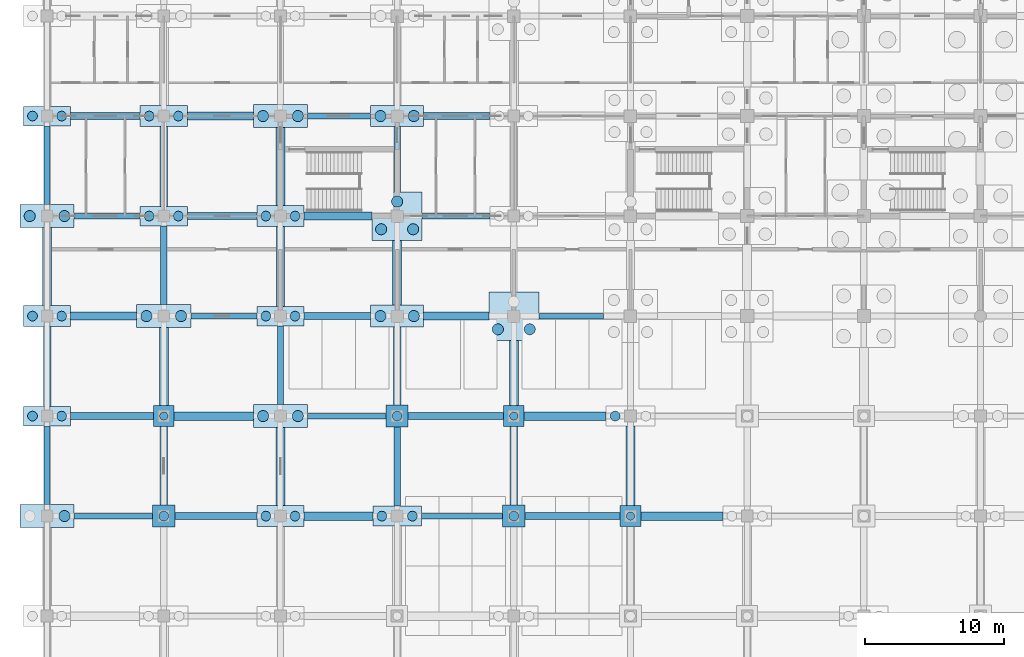
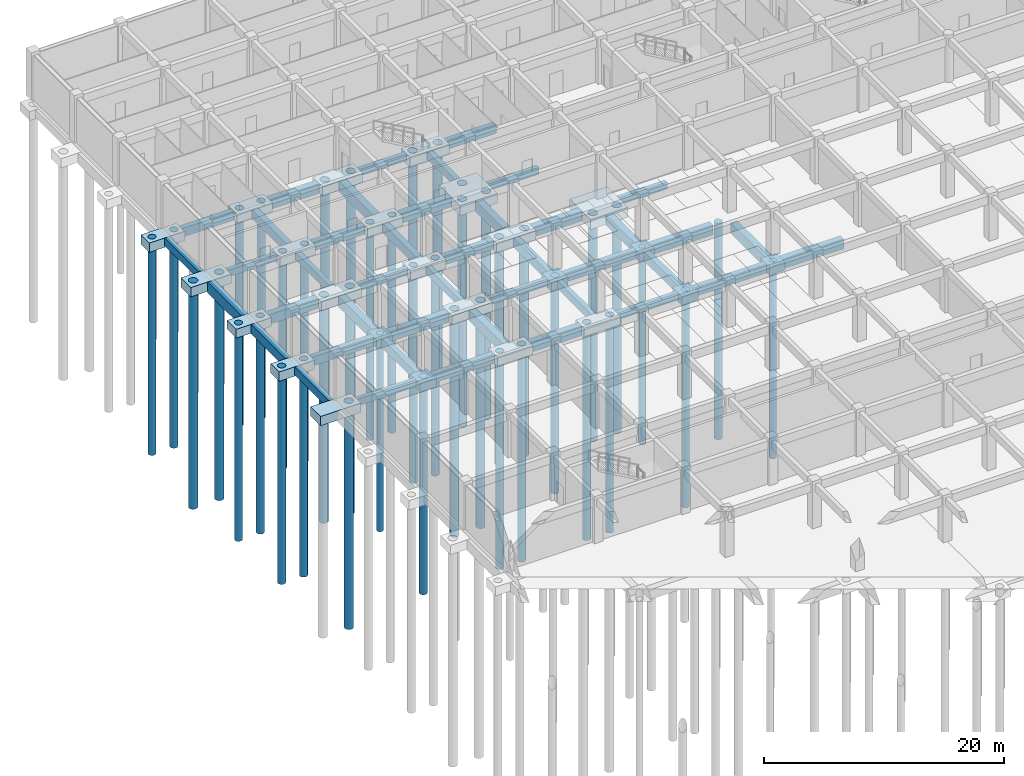
# One storey, part 6 of 85: 67 footings, 43 piles.
"""IFC4 building model written with IfcOpenShell, lengths in metres."""

import ifcopenshell
import ifcopenshell.guid

model = None  # the IFC model being written
_history = None  # IfcOwnerHistory: only IFC2X3 demands one
_inside = {}  # id of a spatial element -> (the spatial element, [elements in it])
_under = {}  # id of a project, library or spatial element -> (it, [spatial elements below it])
_declared = {}  # id of a project -> (the project, [libraries it declares])
_typed = {}  # id of a type object -> (the type object, [elements of that type])
_made_of = {}  # id of a material, layer set ... -> (it, [elements and type objects made of it])


def new_model(schema):
    """Start an empty IFC model of exactly this schema.

    Asked for "IFC4X3", IfcOpenShell would pick the latest addendum, in which some entities
    have other attributes; the version numbers below select the first issue.
    IFC2X3 requires an IfcOwnerHistory on every rooted entity: one is made here for all.
    """
    global model, _history
    if schema == "IFC4X3":
        model = ifcopenshell.file(schema_version=(4, 3, 0, 0))
    else:
        model = ifcopenshell.file(schema=schema)
    _inside.clear()
    _under.clear()
    _declared.clear()
    _typed.clear()
    _made_of.clear()
    _history = None
    if model.schema == "IFC2X3":
        org = make("IfcOrganization", Name="unknown")
        user = make(
            "IfcPersonAndOrganization",
            ThePerson=make("IfcPerson", FamilyName="unknown"),
            TheOrganization=org,
        )
        app = make(
            "IfcApplication",
            ApplicationDeveloper=org,
            Version="unknown",
            ApplicationFullName="unknown",
            ApplicationIdentifier="unknown",
        )
        _history = make(
            "IfcOwnerHistory",
            OwningUser=user,
            OwningApplication=app,
            ChangeAction="ADDED",
            CreationDate=0,
        )
    return model


def make(cls, **values):
    """One entity of the class cls with the attributes given. An attribute that is None is left unset."""
    return model.create_entity(
        cls, **{name: value for name, value in values.items() if value is not None}
    )


def rooted(cls, **values):
    """An entity with a GlobalId (a new one), such as an element, a storey or a relation."""
    return make(cls, GlobalId=ifcopenshell.guid.new(), OwnerHistory=_history, **values)


def si_unit(unit_type, name, prefix=None):
    """IfcSIUnit, for example si_unit("LENGTHUNIT", "METRE", prefix="MILLI")."""
    return make("IfcSIUnit", UnitType=unit_type, Prefix=prefix, Name=name)


def assignment(units):
    """IfcUnitAssignment: the units of a project."""
    return None if units is None else make("IfcUnitAssignment", Units=units)


def point(xyz):
    """IfcCartesianPoint."""
    return None if xyz is None else make("IfcCartesianPoint", Coordinates=xyz)


def direction(xyz):
    """IfcDirection."""
    return None if xyz is None else make("IfcDirection", DirectionRatios=xyz)


def frame(location, z_axis=None, x_axis=None):
    """IfcAxis2Placement3D, a coordinate frame: its origin and axes. An axis left out is left unset."""
    return make(
        "IfcAxis2Placement3D",
        Location=point(location),
        Axis=direction(z_axis),
        RefDirection=direction(x_axis),
    )


def frame_2d(location, x_axis=None):
    """IfcAxis2Placement2D, a coordinate frame in the plane: its origin and x axis."""
    return make(
        "IfcAxis2Placement2D", Location=point(location), RefDirection=direction(x_axis)
    )


def origin():
    """The frame at (0, 0, 0) with its axes left unset."""
    return frame((0.0, 0.0, 0.0))


def origin_2d():
    """The frame at (0, 0) in the plane with its x axis left unset."""
    return frame_2d((0.0, 0.0))


def place(relative_to, where):
    """IfcLocalPlacement: puts the frame where relative to a parent placement (None: the world)."""
    return make(
        "IfcLocalPlacement", PlacementRelTo=relative_to, RelativePlacement=where
    )


def context(
    kind, dimensions, precision=None, world=None, true_north=None, identifier=None
):
    """IfcGeometricRepresentationContext, for example the 3D "Model" context."""
    return make(
        "IfcGeometricRepresentationContext",
        ContextIdentifier=identifier,
        ContextType=kind,
        CoordinateSpaceDimension=dimensions,
        Precision=precision,
        WorldCoordinateSystem=world,
        TrueNorth=true_north,
    )


def subcontext(parent, identifier, kind, view, scale=None):
    """IfcGeometricRepresentationSubContext, for example "Body" below "Model"."""
    return make(
        "IfcGeometricRepresentationSubContext",
        ContextIdentifier=identifier,
        ContextType=kind,
        ParentContext=parent,
        TargetScale=scale,
        TargetView=view,
    )


def project(units=None, contexts=None):
    """IfcProject with its units and contexts."""
    return rooted(
        "IfcProject",
        Name="project",
        RepresentationContexts=contexts,
        UnitsInContext=assignment(units),
    )


def spatial(cls, under=None, at=None, **own):
    """A site, building, storey or space (cls), placed at a placement, below another one or the project."""
    s = rooted(cls, ObjectPlacement=at, **own)
    if under is not None:
        _under.setdefault(under.id(), (under, []))[1].append(s)
    return s


def profile(cls, at=None, kind="AREA", **sizes):
    """A parametric profile (cls). Its sizes go by their IFC names, for example OverallWidth=200.0."""
    return make(cls, ProfileType=kind, Position=at, **sizes)


def rectangle(**sizes):
    """IfcRectangleProfileDef."""
    return profile("IfcRectangleProfileDef", **sizes)


def circle(**sizes):
    """IfcCircleProfileDef."""
    return profile("IfcCircleProfileDef", **sizes)


def extrude(swept, where, along, depth):
    """IfcExtrudedAreaSolid: the profile swept, set in the frame where, extruded along a direction by depth."""
    return make(
        "IfcExtrudedAreaSolid",
        SweptArea=swept,
        Position=where,
        ExtrudedDirection=direction(along),
        Depth=depth,
    )


def shape(context_of_items, identifier, shape_type, items):
    """IfcShapeRepresentation: the items that make up one representation, for example the "Body"."""
    return make(
        "IfcShapeRepresentation",
        ContextOfItems=context_of_items,
        RepresentationIdentifier=identifier,
        RepresentationType=shape_type,
        Items=items,
    )


def material(Name=None, Category=None):
    """IfcMaterial."""
    return make("IfcMaterial", Name=Name, Category=Category)


def material_profile(
    of_material, cross_section, Name=None, Category=None, Priority=None
):
    """IfcMaterialProfile: a cross section and its material."""
    return make(
        "IfcMaterialProfile",
        Name=Name,
        Material=of_material,
        Profile=cross_section,
        Priority=Priority,
        Category=Category,
    )


def profile_set(profiles, Name=None, composite=None):
    """IfcMaterialProfileSet."""
    return make(
        "IfcMaterialProfileSet",
        Name=Name,
        MaterialProfiles=profiles,
        CompositeProfile=composite,
    )


def made_of(thing, what):
    """Note that an element or type object is made of a material, layer set ...; save() writes the relation."""
    if what is not None:
        _made_of.setdefault(what.id(), (what, []))[1].append(thing)
    return thing


def type_object(cls, material=None, **own):
    """A type object (cls), such as IfcWallType, which elements share."""
    return made_of(rooted(cls, **own), material)


def element(
    cls,
    number,
    at=None,
    inside=None,
    cuts=None,
    type_object=None,
    material=None,
    context=None,
    identifier="Body",
    shape_type=None,
    held_by="IfcProductDefinitionShape",
    body=None,
    shapes=None,
    **own,
):
    """One element of the class cls, such as IfcWall. Its Tag is "e" and its number.

    at: its placement. inside: the storey or other place that contains it. cuts: it is an
    opening in that element (IfcRelVoidsElement). A single representation is given by context,
    identifier, shape_type and body (its items); several are given by shapes. held_by: the class
    of the entity that holds the representations. save() writes the other relations.
    """
    e = rooted(cls, Tag="e%d" % number, ObjectPlacement=at, **own)
    if body is not None:
        shapes = [shape(context, identifier, shape_type, body)]
    if shapes is not None:
        e.Representation = make(held_by, Representations=shapes)
    if inside is not None:
        _inside.setdefault(inside.id(), (inside, []))[1].append(e)
    if cuts is not None:
        rooted(
            "IfcRelVoidsElement", RelatingBuildingElement=cuts, RelatedOpeningElement=e
        )
    if type_object is not None:
        _typed.setdefault(type_object.id(), (type_object, []))[1].append(e)
    return made_of(e, material)


def aggregate(whole, parts):
    """IfcRelAggregates: a whole, such as a stair, and the parts it consists of."""
    return rooted("IfcRelAggregates", RelatingObject=whole, RelatedObjects=parts)


def save(model, path):
    """Write the relations noted so far, then the file.

    IfcRelAggregates (storeys below a building ...), IfcRelContainedInSpatialStructure (elements
    in a storey), IfcRelDefinesByType, IfcRelAssociatesMaterial and IfcRelDeclares: one each for
    every whole, place, type object, material and project.
    """
    for whole, parts in _under.values():
        aggregate(whole, parts)
    for where, things in _inside.values():
        rooted(
            "IfcRelContainedInSpatialStructure",
            RelatedElements=things,
            RelatingStructure=where,
        )
    for kind, things in _typed.values():
        rooted("IfcRelDefinesByType", RelatedObjects=things, RelatingType=kind)
    for what, things in _made_of.values():
        rooted("IfcRelAssociatesMaterial", RelatedObjects=things, RelatingMaterial=what)
    for by, libraries in _declared.values():
        rooted("IfcRelDeclares", RelatingContext=by, RelatedDefinitions=libraries)
    model.write(path)


model = new_model("IFC4")

# Units and contexts
model_context = context("Model", 3, precision=1e-05, world=origin(), true_north=direction((0.0, 1.0)))
body_context = subcontext(model_context, "Body", "Model", "MODEL_VIEW")
ifc_project = project(units=[si_unit("LENGTHUNIT", "METRE"), si_unit("AREAUNIT", "SQUARE_METRE"), si_unit("VOLUMEUNIT", "CUBIC_METRE"), si_unit("PLANEANGLEUNIT", "RADIAN"), si_unit("MASSUNIT", "GRAM", prefix="KILO")], contexts=[model_context])

# Site, building, storey
site_placement = place(None, origin())
site = spatial("IfcSite", under=ifc_project, at=site_placement, CompositionType="ELEMENT")
building_placement = place(site_placement, origin())
building = spatial("IfcBuilding", under=site, at=building_placement, Name="Chengyuan Square Courthouse", CompositionType="ELEMENT")
storey_placement = place(building_placement, frame((0.0, 0.0, -10.199951171875)))
storey = spatial("IfcBuildingStorey", under=building, at=storey_placement, Name="B02", CompositionType="ELEMENT", Elevation=-10.199951171875)

# Footings
ifc_material = material(Name="Concrete C40", Category="concrete")
ifc_material_profile_1 = material_profile(ifc_material, rectangle(XDim=0.39990234375, YDim=0.699951171875, at=origin_2d()), Name="GB-400x700")
ifc_profile_set_1 = profile_set([ifc_material_profile_1], Name="Concrete C40")
footing_type_1 = type_object("IfcFootingType", Name="GB-01", PredefinedType="FOOTING_BEAM", material=ifc_profile_set_1)
footing_1_placement = place(storey_placement, frame((1.949951171875, 64.800048828125, -1.150146484375), z_axis=(1.0, 0.0, 0.0), x_axis=(0.0, 1.0, 0.0)))
element("IfcFooting", 1, at=footing_1_placement, inside=storey, type_object=footing_type_1, Name="Ground Tie Beam GB-B02-0181", PredefinedType="FOOTING_BEAM", context=body_context, shape_type="SweptSolid", body=[
    extrude(rectangle(XDim=0.39990234375, YDim=0.699951171875, at=origin_2d()), origin(), (0.0, 0.0, 1.0), 5.650146484375),
])
footing_2_placement = place(storey_placement, frame((26.949951171875, 64.800048828125, -1.150146484375), z_axis=(1.0, 0.0, 0.0), x_axis=(0.0, 1.0, 0.0)))
element("IfcFooting", 2, at=footing_2_placement, inside=storey, type_object=footing_type_1, Name="Ground Tie Beam GB-B02-0184", PredefinedType="FOOTING_BEAM", context=body_context, shape_type="SweptSolid", body=[
    extrude(rectangle(XDim=0.39990234375, YDim=0.699951171875, at=origin_2d()), origin(), (0.0, 0.0, 1.0), 5.85009765625),
])
footing_3_placement = place(storey_placement, frame((18.75, 72.0, -1.150146484375), z_axis=(1.0, 0.0, 0.0), x_axis=(0.0, 1.0, 0.0)))
element("IfcFooting", 3, at=footing_3_placement, inside=storey, type_object=footing_type_1, Name="Ground Tie Beam GB-B02-0203", PredefinedType="FOOTING_BEAM", context=body_context, shape_type="SweptSolid", body=[
    extrude(rectangle(XDim=0.39990234375, YDim=0.699951171875, at=origin_2d()), origin(), (0.0, 0.0, 1.0), 5.64990234375),
])
footing_4_placement = place(storey_placement, frame((10.35009765625, 79.199951171875, -1.150146484375), z_axis=(1.0, 0.0, 0.0), x_axis=(0.0, 1.0, 0.0)))
element("IfcFooting", 4, at=footing_4_placement, inside=storey, type_object=footing_type_1, Name="Ground Tie Beam GB-B02-0222", PredefinedType="FOOTING_BEAM", context=body_context, shape_type="SweptSolid", body=[
    extrude(rectangle(XDim=0.39990234375, YDim=0.699951171875, at=origin_2d()), origin(), (0.0, 0.0, 1.0), 4.75),
])
footing_5_placement = place(storey_placement, frame((35.39990234375, 79.199951171875, -1.150146484375), z_axis=(1.0, 0.0, 0.0), x_axis=(0.0, 1.0, 0.0)))
element("IfcFooting", 5, at=footing_5_placement, inside=storey, type_object=footing_type_1, Name="Ground Tie Beam GB-B02-0225", PredefinedType="FOOTING_BEAM", context=body_context, shape_type="SweptSolid", body=[
    extrude(rectangle(XDim=0.39990234375, YDim=0.699951171875, at=origin_2d()), origin(), (0.0, 0.0, 1.0), 4.650146484375),
])
footing_6_placement = place(storey_placement, frame((1.949951171875, 86.39990234375, -1.150146484375), z_axis=(1.0, 0.0, 0.0), x_axis=(0.0, 1.0, 0.0)))
element("IfcFooting", 6, at=footing_6_placement, inside=storey, type_object=footing_type_1, Name="Ground Tie Beam GB-B02-0241", PredefinedType="FOOTING_BEAM", context=body_context, shape_type="SweptSolid", body=[
    extrude(rectangle(XDim=0.39990234375, YDim=0.699951171875, at=origin_2d()), origin(), (0.0, 0.0, 1.0), 4.75),
])
footing_7_placement = place(storey_placement, frame((27.0, 86.39990234375, -1.150146484375), z_axis=(1.0, 0.0, 0.0), x_axis=(0.0, 1.0, 0.0)))
element("IfcFooting", 7, at=footing_7_placement, inside=storey, type_object=footing_type_1, Name="Ground Tie Beam GB-B02-0244", PredefinedType="FOOTING_BEAM", context=body_context, shape_type="SweptSolid", body=[
    extrude(rectangle(XDim=0.39990234375, YDim=0.699951171875, at=origin_2d()), origin(), (0.0, 0.0, 1.0), 4.89990234375),
])
footing_8_placement = place(storey_placement, frame((18.75, 93.60009765625, -1.150146484375), z_axis=(1.0, 0.0, 0.0), x_axis=(0.0, 1.0, 0.0)))
element("IfcFooting", 8, at=footing_8_placement, inside=storey, type_object=footing_type_1, Name="Ground Tie Beam GB-B02-0263", PredefinedType="FOOTING_BEAM", context=body_context, shape_type="SweptSolid", body=[
    extrude(rectangle(XDim=0.39990234375, YDim=0.699951171875, at=origin_2d()), origin(), (0.0, 0.0, 1.0), 4.550048828125),
])
ifc_material_profile_2 = material_profile(ifc_material, rectangle(XDim=0.449951171875, YDim=0.800048828125, at=origin_2d()), Name="GB-450x800")
ifc_profile_set_2 = profile_set([ifc_material_profile_2], Name="Concrete C40")
footing_type_2 = type_object("IfcFootingType", Name="GB-02", PredefinedType="FOOTING_BEAM", material=ifc_profile_set_2)
footing_9_placement = place(storey_placement, frame((0.0, 65.625, -1.199951171875), z_axis=(0.0, 1.0, 0.0), x_axis=(-1.0, 0.0, 0.0)))
element("IfcFooting", 9, at=footing_9_placement, inside=storey, type_object=footing_type_2, Name="Ground Tie Beam GB-B02-0356", PredefinedType="FOOTING_BEAM", context=body_context, shape_type="SweptSolid", body=[
    extrude(rectangle(XDim=0.449951171875, YDim=0.800048828125, at=origin_2d()), origin(), (0.0, 0.0, 1.0), 5.675048828125),
])
footing_10_placement = place(storey_placement, frame((0.0, 87.22509765625, -1.199951171875), z_axis=(0.0, 1.0, 0.0), x_axis=(-1.0, 0.0, 0.0)))
element("IfcFooting", 10, at=footing_10_placement, inside=storey, type_object=footing_type_2, Name="Ground Tie Beam GB-B02-0359", PredefinedType="FOOTING_BEAM", context=body_context, shape_type="SweptSolid", body=[
    extrude(rectangle(XDim=0.449951171875, YDim=0.800048828125, at=origin_2d()), origin(), (0.0, 0.0, 1.0), 5.6748046875),
])
for number, where, z_axis, x_axis, name in (
    (11, (8.39990234375, 80.02490234375, -1.199951171875), (0.0, 1.0, 0.0), (-1.0, 0.0, 0.0), "Ground Tie Beam GB-B02-0374"),
    (12, (16.800048828125, 72.824951171875, -1.199951171875), (0.0, 1.0, 0.0), (-1.0, 0.0, 0.0), "Ground Tie Beam GB-B02-0389"),
    (13, (25.199951171875, 65.52490234375, -1.199951171875), (0.0, 1.0, 0.0), (-1.0, 0.0, 0.0), "Ground Tie Beam GB-B02-0404"),
):
    element("IfcFooting", number, at=place(storey_placement, frame(where, z_axis=z_axis, x_axis=x_axis)), inside=storey, type_object=footing_type_2, Name=name, PredefinedType="FOOTING_BEAM", context=body_context, shape_type="SweptSolid", body=[
        extrude(rectangle(XDim=0.449951171875, YDim=0.800048828125, at=origin_2d()), origin(), (0.0, 0.0, 1.0), 5.675048828125),
    ])
footing_11_placement = place(storey_placement, frame((25.199951171875, 88.14990234375, -1.199951171875), z_axis=(0.0, 1.0, 0.0), x_axis=(-1.0, 0.0, 0.0)))
element("IfcFooting", 14, at=footing_11_placement, inside=storey, type_object=footing_type_2, Name="Ground Tie Beam GB-B02-0407", PredefinedType="FOOTING_BEAM", context=body_context, shape_type="SweptSolid", body=[
    extrude(rectangle(XDim=0.449951171875, YDim=0.800048828125, at=origin_2d()), origin(), (0.0, 0.0, 1.0), 4.7001953125),
])
ifc_material_profile_3 = material_profile(ifc_material, rectangle(XDim=0.5, YDim=0.89990234375, at=origin_2d()), Name="GB-500x900")
ifc_profile_set_3 = profile_set([ifc_material_profile_3], Name="Concrete C40")
footing_type_3 = type_object("IfcFootingType", Name="GB-03", PredefinedType="FOOTING_BEAM", material=ifc_profile_set_3)
footing_12_placement = place(storey_placement, frame((9.199951171875, 64.800048828125, -1.25), z_axis=(1.0, 0.0, 0.0), x_axis=(0.0, 1.0, 0.0)))
element("IfcFooting", 15, at=footing_12_placement, inside=storey, type_object=footing_type_3, Name="Ground Tie Beam GB-B02-0182", PredefinedType="FOOTING_BEAM", context=body_context, shape_type="SweptSolid", body=[
    extrude(rectangle(XDim=0.5, YDim=0.89990234375, at=origin_2d()), origin(), (0.0, 0.0, 1.0), 5.900146484375),
])
footing_13_placement = place(storey_placement, frame((34.39990234375, 64.800048828125, -1.25), z_axis=(1.0, 0.0, 0.0), x_axis=(0.0, 1.0, 0.0)))
element("IfcFooting", 16, at=footing_13_placement, inside=storey, type_object=footing_type_3, Name="Ground Tie Beam GB-B02-0185", PredefinedType="FOOTING_BEAM", context=body_context, shape_type="SweptSolid", body=[
    extrude(rectangle(XDim=0.5, YDim=0.89990234375, at=origin_2d()), origin(), (0.0, 0.0, 1.0), 6.85009765625),
])
footing_14_placement = place(storey_placement, frame((1.699951171875, 72.0, -1.25), z_axis=(1.0, 0.0, 0.0), x_axis=(0.0, 1.0, 0.0)))
element("IfcFooting", 17, at=footing_14_placement, inside=storey, type_object=footing_type_3, Name="Ground Tie Beam GB-B02-0201", PredefinedType="FOOTING_BEAM", context=body_context, shape_type="SweptSolid", body=[
    extrude(rectangle(XDim=0.5, YDim=0.89990234375, at=origin_2d()), origin(), (0.0, 0.0, 1.0), 5.949951171875),
])
footing_15_placement = place(storey_placement, frame((26.0, 72.0, -1.25), z_axis=(1.0, 0.0, 0.0), x_axis=(0.0, 1.0, 0.0)))
element("IfcFooting", 18, at=footing_15_placement, inside=storey, type_object=footing_type_3, Name="Ground Tie Beam GB-B02-0204", PredefinedType="FOOTING_BEAM", context=body_context, shape_type="SweptSolid", body=[
    extrude(rectangle(XDim=0.5, YDim=0.89990234375, at=origin_2d()), origin(), (0.0, 0.0, 1.0), 6.85009765625),
])
footing_16_placement = place(storey_placement, frame((18.5, 79.199951171875, -1.25), z_axis=(1.0, 0.0, 0.0), x_axis=(0.0, 1.0, 0.0)))
element("IfcFooting", 19, at=footing_16_placement, inside=storey, type_object=footing_type_3, Name="Ground Tie Beam GB-B02-0223", PredefinedType="FOOTING_BEAM", context=body_context, shape_type="SweptSolid", body=[
    extrude(rectangle(XDim=0.5, YDim=0.89990234375, at=origin_2d()), origin(), (0.0, 0.0, 1.0), 4.800048828125),
])
for number, where, z_axis, x_axis, name in (
    (20, (10.10009765625, 86.39990234375, -1.25), (1.0, 0.0, 0.0), (0.0, 1.0, 0.0), "Ground Tie Beam GB-B02-0242"),
    (21, (1.699951171875, 93.60009765625, -1.25), (1.0, 0.0, 0.0), (0.0, 1.0, 0.0), "Ground Tie Beam GB-B02-0261"),
):
    element("IfcFooting", number, at=place(storey_placement, frame(where, z_axis=z_axis, x_axis=x_axis)), inside=storey, type_object=footing_type_3, Name=name, PredefinedType="FOOTING_BEAM", context=body_context, shape_type="SweptSolid", body=[
        extrude(rectangle(XDim=0.5, YDim=0.89990234375, at=origin_2d()), origin(), (0.0, 0.0, 1.0), 5.0),
    ])
footing_17_placement = place(storey_placement, frame((27.10009765625, 93.60009765625, -1.25), z_axis=(1.0, 0.0, 0.0), x_axis=(0.0, 1.0, 0.0)))
element("IfcFooting", 22, at=footing_17_placement, inside=storey, type_object=footing_type_3, Name="Ground Tie Beam GB-B02-0264", PredefinedType="FOOTING_BEAM", context=body_context, shape_type="SweptSolid", body=[
    extrude(rectangle(XDim=0.5, YDim=0.89990234375, at=origin_2d()), origin(), (0.0, 0.0, 1.0), 4.7998046875),
])
ifc_material_profile_4 = material_profile(ifc_material, rectangle(XDim=0.550048828125, YDim=0.949951171875, at=origin_2d()), Name="GB-550x950")
ifc_profile_set_4 = profile_set([ifc_material_profile_4], Name="Concrete C40")
footing_type_4 = type_object("IfcFootingType", Name="GB-04", PredefinedType="FOOTING_BEAM", material=ifc_profile_set_4)
footing_18_placement = place(storey_placement, frame((0.0, 72.699951171875, -1.275146484375), z_axis=(0.0, 1.0, 0.0), x_axis=(-1.0, 0.0, 0.0)))
element("IfcFooting", 23, at=footing_18_placement, inside=storey, type_object=footing_type_4, Name="Ground Tie Beam GB-B02-0357", PredefinedType="FOOTING_BEAM", context=body_context, shape_type="SweptSolid", body=[
    extrude(rectangle(XDim=0.550048828125, YDim=0.949951171875, at=origin_2d()), origin(), (0.0, 0.0, 1.0), 5.75),
])
footing_19_placement = place(storey_placement, frame((8.39990234375, 65.60009765625, -1.275146484375), z_axis=(0.0, 1.0, 0.0), x_axis=(-1.0, 0.0, 0.0)))
element("IfcFooting", 24, at=footing_19_placement, inside=storey, type_object=footing_type_4, Name="Ground Tie Beam GB-B02-0372", PredefinedType="FOOTING_BEAM", context=body_context, shape_type="SweptSolid", body=[
    extrude(rectangle(XDim=0.550048828125, YDim=0.949951171875, at=origin_2d()), origin(), (0.0, 0.0, 1.0), 5.64990234375),
])
for number, where, z_axis, x_axis, name in (
    (25, (8.39990234375, 87.10009765625, -1.275146484375), (0.0, 1.0, 0.0), (-1.0, 0.0, 0.0), "Ground Tie Beam GB-B02-0375"),
    (26, (16.800048828125, 79.89990234375, -1.275146484375), (0.0, 1.0, 0.0), (-1.0, 0.0, 0.0), "Ground Tie Beam GB-B02-0390"),
):
    element("IfcFooting", number, at=place(storey_placement, frame(where, z_axis=z_axis, x_axis=x_axis)), inside=storey, type_object=footing_type_4, Name=name, PredefinedType="FOOTING_BEAM", context=body_context, shape_type="SweptSolid", body=[
        extrude(rectangle(XDim=0.550048828125, YDim=0.949951171875, at=origin_2d()), origin(), (0.0, 0.0, 1.0), 5.75),
    ])
footing_20_placement = place(storey_placement, frame((25.199951171875, 72.800048828125, -1.275146484375), z_axis=(0.0, 1.0, 0.0), x_axis=(-1.0, 0.0, 0.0)))
element("IfcFooting", 27, at=footing_20_placement, inside=storey, type_object=footing_type_4, Name="Ground Tie Beam GB-B02-0405", PredefinedType="FOOTING_BEAM", context=body_context, shape_type="SweptSolid", body=[
    extrude(rectangle(XDim=0.550048828125, YDim=0.949951171875, at=origin_2d()), origin(), (0.0, 0.0, 1.0), 5.599853515625),
])
footing_21_placement = place(storey_placement, frame((33.60009765625, 65.60009765625, -1.275146484375), z_axis=(0.0, 1.0, 0.0), x_axis=(-1.0, 0.0, 0.0)))
element("IfcFooting", 28, at=footing_21_placement, inside=storey, type_object=footing_type_4, Name="Ground Tie Beam GB-B02-0420", PredefinedType="FOOTING_BEAM", context=body_context, shape_type="SweptSolid", body=[
    extrude(rectangle(XDim=0.550048828125, YDim=0.949951171875, at=origin_2d()), origin(), (0.0, 0.0, 1.0), 5.64990234375),
])
ifc_material_profile_5 = material_profile(ifc_material, rectangle(XDim=0.60009765625, YDim=1.0, at=origin_2d()), Name="GB-600x1000")
ifc_profile_set_5 = profile_set([ifc_material_profile_5], Name="Concrete C40")
footing_type_5 = type_object("IfcFootingType", Name="GB-05", PredefinedType="FOOTING_BEAM", material=ifc_profile_set_5)
footing_22_placement = place(storey_placement, frame((18.5, 64.800048828125, -1.300048828125), z_axis=(1.0, 0.0, 0.0), x_axis=(0.0, 1.0, 0.0)))
element("IfcFooting", 29, at=footing_22_placement, inside=storey, type_object=footing_type_5, Name="Ground Tie Beam GB-B02-0183", PredefinedType="FOOTING_BEAM", context=body_context, shape_type="SweptSolid", body=[
    extrude(rectangle(XDim=0.60009765625, YDim=1.0, at=origin_2d()), origin(), (0.0, 0.0, 1.0), 4.949951171875),
])
footing_23_placement = place(storey_placement, frame((42.75, 64.800048828125, -1.300048828125), z_axis=(1.0, 0.0, 0.0), x_axis=(0.0, 1.0, 0.0)))
element("IfcFooting", 30, at=footing_23_placement, inside=storey, type_object=footing_type_5, Name="Ground Tie Beam GB-B02-0186", PredefinedType="FOOTING_BEAM", context=body_context, shape_type="SweptSolid", body=[
    extrude(rectangle(XDim=0.60009765625, YDim=1.0, at=origin_2d()), origin(), (0.0, 0.0, 1.0), 5.89990234375),
])
footing_24_placement = place(storey_placement, frame((9.14990234375, 72.0, -1.300048828125), z_axis=(1.0, 0.0, 0.0), x_axis=(0.0, 1.0, 0.0)))
element("IfcFooting", 31, at=footing_24_placement, inside=storey, type_object=footing_type_5, Name="Ground Tie Beam GB-B02-0202", PredefinedType="FOOTING_BEAM", context=body_context, shape_type="SweptSolid", body=[
    extrude(rectangle(XDim=0.60009765625, YDim=1.0, at=origin_2d()), origin(), (0.0, 0.0, 1.0), 5.7001953125),
])
footing_25_placement = place(storey_placement, frame((34.35009765625, 72.0, -1.300048828125), z_axis=(1.0, 0.0, 0.0), x_axis=(0.0, 1.0, 0.0)))
element("IfcFooting", 32, at=footing_25_placement, inside=storey, type_object=footing_type_5, Name="Ground Tie Beam GB-B02-0205", PredefinedType="FOOTING_BEAM", context=body_context, shape_type="SweptSolid", body=[
    extrude(rectangle(XDim=0.60009765625, YDim=1.0, at=origin_2d()), origin(), (0.0, 0.0, 1.0), 5.89990234375),
])
footing_26_placement = place(storey_placement, frame((1.699951171875, 79.199951171875, -1.300048828125), z_axis=(1.0, 0.0, 0.0), x_axis=(0.0, 1.0, 0.0)))
element("IfcFooting", 33, at=footing_26_placement, inside=storey, type_object=footing_type_5, Name="Ground Tie Beam GB-B02-0221", PredefinedType="FOOTING_BEAM", context=body_context, shape_type="SweptSolid", body=[
    extrude(rectangle(XDim=0.60009765625, YDim=1.0, at=origin_2d()), origin(), (0.0, 0.0, 1.0), 4.75),
])
footing_27_placement = place(storey_placement, frame((27.10009765625, 79.199951171875, -1.300048828125), z_axis=(1.0, 0.0, 0.0), x_axis=(0.0, 1.0, 0.0)))
element("IfcFooting", 34, at=footing_27_placement, inside=storey, type_object=footing_type_5, Name="Ground Tie Beam GB-B02-0224", PredefinedType="FOOTING_BEAM", context=body_context, shape_type="SweptSolid", body=[
    extrude(rectangle(XDim=0.60009765625, YDim=1.0, at=origin_2d()), origin(), (0.0, 0.0, 1.0), 4.699951171875),
])
footing_28_placement = place(storey_placement, frame((18.5, 86.39990234375, -1.300048828125), z_axis=(1.0, 0.0, 0.0), x_axis=(0.0, 1.0, 0.0)))
element("IfcFooting", 35, at=footing_28_placement, inside=storey, type_object=footing_type_5, Name="Ground Tie Beam GB-B02-0243", PredefinedType="FOOTING_BEAM", context=body_context, shape_type="SweptSolid", body=[
    extrude(rectangle(XDim=0.60009765625, YDim=1.0, at=origin_2d()), origin(), (0.0, 0.0, 1.0), 4.89990234375),
])
footing_29_placement = place(storey_placement, frame((10.10009765625, 93.60009765625, -1.300048828125), z_axis=(1.0, 0.0, 0.0), x_axis=(0.0, 1.0, 0.0)))
element("IfcFooting", 36, at=footing_29_placement, inside=storey, type_object=footing_type_5, Name="Ground Tie Beam GB-B02-0262", PredefinedType="FOOTING_BEAM", context=body_context, shape_type="SweptSolid", body=[
    extrude(rectangle(XDim=0.60009765625, YDim=1.0, at=origin_2d()), origin(), (0.0, 0.0, 1.0), 4.75),
])
ifc_material_profile_6 = material_profile(ifc_material, rectangle(XDim=0.64990234375, YDim=1.10009765625, at=origin_2d()), Name="GB-650x1100")
ifc_profile_set_6 = profile_set([ifc_material_profile_6], Name="Concrete C40")
footing_type_6 = type_object("IfcFootingType", Name="GB-06", PredefinedType="FOOTING_BEAM", material=ifc_profile_set_6)
for number, where, z_axis, x_axis, name in (
    (37, (0.0, 79.949951171875, -1.35009765625), (0.0, 1.0, 0.0), (-1.0, 0.0, 0.0), "Ground Tie Beam GB-B02-0358"),
    (38, (8.39990234375, 72.75, -1.35009765625), (0.0, 1.0, 0.0), (-1.0, 0.0, 0.0), "Ground Tie Beam GB-B02-0373"),
    (39, (16.800048828125, 65.550048828125, -1.35009765625), (0.0, 1.0, 0.0), (-1.0, 0.0, 0.0), "Ground Tie Beam GB-B02-0388"),
    (40, (16.800048828125, 87.14990234375, -1.35009765625), (0.0, 1.0, 0.0), (-1.0, 0.0, 0.0), "Ground Tie Beam GB-B02-0391"),
):
    element("IfcFooting", number, at=place(storey_placement, frame(where, z_axis=z_axis, x_axis=x_axis)), inside=storey, type_object=footing_type_6, Name=name, PredefinedType="FOOTING_BEAM", context=body_context, shape_type="SweptSolid", body=[
        extrude(rectangle(XDim=0.64990234375, YDim=1.10009765625, at=origin_2d()), origin(), (0.0, 0.0, 1.0), 5.625),
    ])
footing_30_placement = place(storey_placement, frame((25.199951171875, 80.0, -1.35009765625), z_axis=(0.0, 1.0, 0.0), x_axis=(-1.0, 0.0, 0.0)))
element("IfcFooting", 41, at=footing_30_placement, inside=storey, type_object=footing_type_6, Name="Ground Tie Beam GB-B02-0406", PredefinedType="FOOTING_BEAM", context=body_context, shape_type="SweptSolid", body=[
    extrude(rectangle(XDim=0.64990234375, YDim=1.10009765625, at=origin_2d()), origin(), (0.0, 0.0, 1.0), 4.64990234375),
])
footing_31_placement = place(storey_placement, frame((33.60009765625, 72.75, -1.35009765625), z_axis=(0.0, 1.0, 0.0), x_axis=(-1.0, 0.0, 0.0)))
element("IfcFooting", 42, at=footing_31_placement, inside=storey, type_object=footing_type_6, Name="Ground Tie Beam GB-B02-0421", PredefinedType="FOOTING_BEAM", context=body_context, shape_type="SweptSolid", body=[
    extrude(rectangle(XDim=0.64990234375, YDim=1.10009765625, at=origin_2d()), origin(), (0.0, 0.0, 1.0), 4.699951171875),
])
footing_32_placement = place(storey_placement, frame((42.0, 65.550048828125, -1.35009765625), z_axis=(0.0, 1.0, 0.0), x_axis=(-1.0, 0.0, 0.0)))
element("IfcFooting", 43, at=footing_32_placement, inside=storey, type_object=footing_type_6, Name="Ground Tie Beam GB-B02-0436", PredefinedType="FOOTING_BEAM", context=body_context, shape_type="SweptSolid", body=[
    extrude(rectangle(XDim=0.64990234375, YDim=1.10009765625, at=origin_2d()), origin(), (0.0, 0.0, 1.0), 5.724853515625),
])
footing_type_7 = type_object("IfcFootingType", Name="PC-13", PredefinedType="PILE_CAP", material=ifc_material)
for number, where, z_axis, x_axis, name in (
    (44, (25.199951171875, 86.39990234375, -1.800048828125), (0.0, 0.0, 1.0), (1.0, 0.0, 0.0), "Pile Cap PC-B02-064"),
    (45, (33.60009765625, 79.199951171875, -1.800048828125), (0.0, 0.0, 1.0), (1.0, 0.0, 0.0), "Pile Cap PC-B02-080"),
):
    element("IfcFooting", number, at=place(storey_placement, frame(where, z_axis=z_axis, x_axis=x_axis)), inside=storey, type_object=footing_type_7, Name=name, PredefinedType="PILE_CAP", context=body_context, shape_type="SweptSolid", body=[
        extrude(rectangle(XDim=3.60009765625, YDim=3.5, at=origin_2d()), origin(), (0.0, 0.0, 1.0), 1.0),
    ])
footing_type_8 = type_object("IfcFootingType", Name="PC-14", PredefinedType="PILE_CAP", material=ifc_material)
footing_33_placement = place(storey_placement, frame((25.199951171875, 93.60009765625, -1.85009765625), z_axis=(0.0, 0.0, 1.0), x_axis=(1.0, 0.0, 0.0)))
element("IfcFooting", 46, at=footing_33_placement, inside=storey, type_object=footing_type_8, Name="Pile Cap PC-B02-065", PredefinedType="PILE_CAP", context=body_context, shape_type="SweptSolid", body=[
    extrude(rectangle(XDim=3.800048828125, YDim=1.5, at=origin_2d()), origin(), (0.0, 0.0, 1.0), 1.050048828125),
])
footing_type_9 = type_object("IfcFootingType", Name="PC-15", PredefinedType="PILE_CAP", material=ifc_material)
footing_34_placement = place(storey_placement, frame((25.199951171875, 79.199951171875, -1.800048828125), z_axis=(0.0, 0.0, 1.0), x_axis=(1.0, 0.0, 0.0)))
element("IfcFooting", 47, at=footing_34_placement, inside=storey, type_object=footing_type_9, Name="Pile Cap PC-B02-063", PredefinedType="PILE_CAP", context=body_context, shape_type="SweptSolid", body=[
    extrude(rectangle(XDim=3.800048828125, YDim=1.60009765625, at=origin_2d()), origin(), (0.0, 0.0, 1.0), 1.0),
])
footing_type_10 = type_object("IfcFootingType", Name="PC-16", PredefinedType="PILE_CAP", material=ifc_material)
for number, where, z_axis, x_axis, name in (
    (48, (0.0, 64.800048828125, -1.75), (0.0, 0.0, 1.0), (1.0, 0.0, 0.0), "Pile Cap PC-B02-010"),
    (49, (0.0, 86.39990234375, -1.75), (0.0, 0.0, 1.0), (1.0, 0.0, 0.0), "Pile Cap PC-B02-013"),
    (50, (8.39990234375, 79.199951171875, -1.75), (0.0, 0.0, 1.0), (1.0, 0.0, 0.0), "Pile Cap PC-B02-029"),
    (51, (16.800048828125, 72.0, -1.75), (0.0, 0.0, 1.0), (1.0, 0.0, 0.0), "Pile Cap PC-B02-045"),
    (52, (16.800048828125, 93.60009765625, -1.75), (0.0, 0.0, 1.0), (1.0, 0.0, 0.0), "Pile Cap PC-B02-048"),
):
    element("IfcFooting", number, at=place(storey_placement, frame(where, z_axis=z_axis, x_axis=x_axis)), inside=storey, type_object=footing_type_10, Name=name, PredefinedType="PILE_CAP", context=body_context, shape_type="SweptSolid", body=[
        extrude(rectangle(XDim=3.89990234375, YDim=1.64990234375, at=origin_2d()), origin(), (0.0, 0.0, 1.0), 0.949951171875),
    ])
footing_type_11 = type_object("IfcFootingType", Name="PC-17", PredefinedType="PILE_CAP", material=ifc_material)
for number, where, z_axis, x_axis, name in (
    (53, (0.0, 72.0, -1.75), (0.0, 0.0, 1.0), (1.0, 0.0, 0.0), "Pile Cap PC-B02-011"),
    (54, (0.0, 93.60009765625, -1.75), (0.0, 0.0, 1.0), (1.0, 0.0, 0.0), "Pile Cap PC-B02-014"),
    (55, (8.39990234375, 86.39990234375, -1.75), (0.0, 0.0, 1.0), (1.0, 0.0, 0.0), "Pile Cap PC-B02-030"),
    (56, (16.800048828125, 79.199951171875, -1.75), (0.0, 0.0, 1.0), (1.0, 0.0, 0.0), "Pile Cap PC-B02-046"),
):
    element("IfcFooting", number, at=place(storey_placement, frame(where, z_axis=z_axis, x_axis=x_axis)), inside=storey, type_object=footing_type_11, Name=name, PredefinedType="PILE_CAP", context=body_context, shape_type="SweptSolid", body=[
        extrude(rectangle(XDim=3.39990234375, YDim=1.39990234375, at=origin_2d()), origin(), (0.0, 0.0, 1.0), 0.949951171875),
    ])
footing_type_12 = type_object("IfcFootingType", Name="PC-18", PredefinedType="PILE_CAP", material=ifc_material)
for number, where, z_axis, x_axis, name in (
    (57, (0.0, 79.199951171875, -1.699951171875), (0.0, 0.0, 1.0), (1.0, 0.0, 0.0), "Pile Cap PC-B02-012"),
    (58, (8.39990234375, 93.60009765625, -1.699951171875), (0.0, 0.0, 1.0), (1.0, 0.0, 0.0), "Pile Cap PC-B02-031"),
    (59, (16.800048828125, 64.800048828125, -1.699951171875), (0.0, 0.0, 1.0), (1.0, 0.0, 0.0), "Pile Cap PC-B02-044"),
    (60, (16.800048828125, 86.39990234375, -1.699951171875), (0.0, 0.0, 1.0), (1.0, 0.0, 0.0), "Pile Cap PC-B02-047"),
):
    element("IfcFooting", number, at=place(storey_placement, frame(where, z_axis=z_axis, x_axis=x_axis)), inside=storey, type_object=footing_type_12, Name=name, PredefinedType="PILE_CAP", context=body_context, shape_type="SweptSolid", body=[
        extrude(rectangle(XDim=3.39990234375, YDim=1.5, at=origin_2d()), origin(), (0.0, 0.0, 1.0), 0.89990234375),
    ])
footing_type_13 = type_object("IfcFootingType", Name="PC-19", PredefinedType="PILE_CAP", material=ifc_material)
footing_35_placement = place(storey_placement, frame((25.199951171875, 64.800048828125, -1.650146484375), z_axis=(0.0, 0.0, 1.0), x_axis=(1.0, 0.0, 0.0)))
element("IfcFooting", 61, at=footing_35_placement, inside=storey, type_object=footing_type_13, Name="Pile Cap PC-B02-061", PredefinedType="PILE_CAP", context=body_context, shape_type="SweptSolid", body=[
    extrude(rectangle(XDim=3.5, YDim=1.449951171875, at=origin_2d()), origin(), (0.0, 0.0, 1.0), 0.85009765625),
])
footing_type_14 = type_object("IfcFootingType", Name="PC-20", PredefinedType="PILE_CAP", material=ifc_material)
for number, where, z_axis, x_axis, name in (
    (62, (8.39990234375, 64.800048828125, -1.699951171875), (0.0, 0.0, 1.0), (1.0, 0.0, 0.0), "Pile Cap PC-B02-027"),
    (63, (25.199951171875, 72.0, -1.699951171875), (0.0, 0.0, 1.0), (1.0, 0.0, 0.0), "Pile Cap PC-B02-062"),
    (64, (33.60009765625, 64.800048828125, -1.699951171875), (0.0, 0.0, 1.0), (1.0, 0.0, 0.0), "Pile Cap PC-B02-078"),
):
    element("IfcFooting", number, at=place(storey_placement, frame(where, z_axis=z_axis, x_axis=x_axis)), inside=storey, type_object=footing_type_14, Name=name, PredefinedType="PILE_CAP", context=body_context, shape_type="SweptSolid", body=[
        extrude(rectangle(XDim=1.60009765625, YDim=1.60009765625, at=origin_2d()), origin(), (0.0, 0.0, 1.0), 0.89990234375),
    ])
footing_type_15 = type_object("IfcFootingType", Name="PC-21", PredefinedType="PILE_CAP", material=ifc_material)
for number, where, z_axis, x_axis, name in (
    (65, (8.39990234375, 72.0, -1.650146484375), (0.0, 0.0, 1.0), (1.0, 0.0, 0.0), "Pile Cap PC-B02-028"),
    (66, (33.60009765625, 72.0, -1.650146484375), (0.0, 0.0, 1.0), (1.0, 0.0, 0.0), "Pile Cap PC-B02-079"),
    (67, (42.0, 64.800048828125, -1.650146484375), (0.0, 0.0, 1.0), (1.0, 0.0, 0.0), "Pile Cap PC-B02-095"),
):
    element("IfcFooting", number, at=place(storey_placement, frame(where, z_axis=z_axis, x_axis=x_axis)), inside=storey, type_object=footing_type_15, Name=name, PredefinedType="PILE_CAP", context=body_context, shape_type="SweptSolid", body=[
        extrude(rectangle(XDim=1.5, YDim=1.5, at=origin_2d()), origin(), (0.0, 0.0, 1.0), 0.85009765625),
    ])

# Piles
ifc_material_profile_7 = material_profile(ifc_material, circle(Radius=0.300048828125, at=origin_2d()), Name="BORED PILE D600")
ifc_profile_set_7 = profile_set([ifc_material_profile_7], Name="Concrete C40")
pile_type_1 = type_object("IfcPileType", Name="PL-01", PredefinedType="BORED", material=ifc_profile_set_7)
for number, where, z_axis, x_axis, name in (
    (68, (8.39990234375, 72.0, -0.800048828125), (0.0, 0.0, -1.0), (1.0, 0.0, 0.0), "Bored Pile PL-B02-0044"),
    (69, (33.60009765625, 72.0, -0.800048828125), (0.0, 0.0, -1.0), (1.0, 0.0, 0.0), "Bored Pile PL-B02-0128"),
    (70, (42.0, 64.800048828125, -0.800048828125), (0.0, 0.0, -1.0), (1.0, 0.0, 0.0), "Bored Pile PL-B02-0154"),
):
    element("IfcPile", number, at=place(storey_placement, frame(where, z_axis=z_axis, x_axis=x_axis)), inside=storey, type_object=pile_type_1, Name=name, PredefinedType="BORED", context=body_context, shape_type="SweptSolid", body=[
        extrude(circle(Radius=0.300048828125, at=origin_2d()), origin(), (0.0, 0.0, 1.0), 20.0),
    ])
ifc_material_profile_8 = material_profile(ifc_material, circle(Radius=0.35009765625, at=origin_2d()), Name="BORED PILE D700")
ifc_profile_set_8 = profile_set([ifc_material_profile_8], Name="Concrete C40")
pile_type_2 = type_object("IfcPileType", Name="PL-02", PredefinedType="BORED", material=ifc_profile_set_8)
for number, where, z_axis, x_axis, name in (
    (71, (-1.050048828125, 72.0, -0.800048828125), (0.0, 0.0, -1.0), (1.0, 0.0, 0.0), "Bored Pile PL-B02-0018"),
    (72, (1.050048828125, 72.0, -0.800048828125), (0.0, 0.0, -1.0), (1.0, 0.0, 0.0), "Bored Pile PL-B02-0019"),
    (73, (-1.050048828125, 79.199951171875, -0.800048828125), (0.0, 0.0, -1.0), (1.0, 0.0, 0.0), "Bored Pile PL-B02-0020"),
    (74, (1.050048828125, 79.199951171875, -0.800048828125), (0.0, 0.0, -1.0), (1.0, 0.0, 0.0), "Bored Pile PL-B02-0021"),
    (75, (-1.050048828125, 93.60009765625, -0.800048828125), (0.0, 0.0, -1.0), (1.0, 0.0, 0.0), "Bored Pile PL-B02-0024"),
    (76, (1.050048828125, 93.60009765625, -0.800048828125), (0.0, 0.0, -1.0), (1.0, 0.0, 0.0), "Bored Pile PL-B02-0025"),
    (77, (8.39990234375, 64.800048828125, -0.800048828125), (0.0, 0.0, -1.0), (1.0, 0.0, 0.0), "Bored Pile PL-B02-0043"),
    (78, (7.35009765625, 86.39990234375, -0.800048828125), (0.0, 0.0, -1.0), (1.0, 0.0, 0.0), "Bored Pile PL-B02-0047"),
    (79, (9.449951171875, 86.39990234375, -0.800048828125), (0.0, 0.0, -1.0), (1.0, 0.0, 0.0), "Bored Pile PL-B02-0048"),
    (80, (7.35009765625, 93.60009765625, -0.800048828125), (0.0, 0.0, -1.0), (1.0, 0.0, 0.0), "Bored Pile PL-B02-0049"),
    (81, (9.449951171875, 93.60009765625, -0.800048828125), (0.0, 0.0, -1.0), (1.0, 0.0, 0.0), "Bored Pile PL-B02-0050"),
    (82, (15.75, 64.800048828125, -0.800048828125), (0.0, 0.0, -1.0), (1.0, 0.0, 0.0), "Bored Pile PL-B02-0071"),
    (83, (17.85009765625, 64.800048828125, -0.800048828125), (0.0, 0.0, -1.0), (1.0, 0.0, 0.0), "Bored Pile PL-B02-0072"),
    (84, (15.75, 79.199951171875, -0.800048828125), (0.0, 0.0, -1.0), (1.0, 0.0, 0.0), "Bored Pile PL-B02-0075"),
    (85, (17.85009765625, 79.199951171875, -0.800048828125), (0.0, 0.0, -1.0), (1.0, 0.0, 0.0), "Bored Pile PL-B02-0076"),
    (86, (15.75, 86.39990234375, -0.800048828125), (0.0, 0.0, -1.0), (1.0, 0.0, 0.0), "Bored Pile PL-B02-0077"),
    (87, (17.85009765625, 86.39990234375, -0.800048828125), (0.0, 0.0, -1.0), (1.0, 0.0, 0.0), "Bored Pile PL-B02-0078"),
    (88, (24.10009765625, 64.800048828125, -0.800048828125), (0.0, 0.0, -1.0), (1.0, 0.0, 0.0), "Bored Pile PL-B02-0099"),
    (89, (26.300048828125, 64.800048828125, -0.800048828125), (0.0, 0.0, -1.0), (1.0, 0.0, 0.0), "Bored Pile PL-B02-0100"),
    (90, (25.199951171875, 72.0, -0.800048828125), (0.0, 0.0, -1.0), (1.0, 0.0, 0.0), "Bored Pile PL-B02-0101"),
    (91, (33.60009765625, 64.800048828125, -0.800048828125), (0.0, 0.0, -1.0), (1.0, 0.0, 0.0), "Bored Pile PL-B02-0127"),
    (92, (40.89990234375, 72.0, -0.800048828125), (0.0, 0.0, -1.0), (1.0, 0.0, 0.0), "Bored Pile PL-B02-0155"),
):
    element("IfcPile", number, at=place(storey_placement, frame(where, z_axis=z_axis, x_axis=x_axis)), inside=storey, type_object=pile_type_2, Name=name, PredefinedType="BORED", context=body_context, shape_type="SweptSolid", body=[
        extrude(circle(Radius=0.35009765625, at=origin_2d()), origin(), (0.0, 0.0, 1.0), 22.0),
    ])
ifc_material_profile_9 = material_profile(ifc_material, circle(Radius=0.39990234375, at=origin_2d()), Name="BORED PILE D800")
ifc_profile_set_9 = profile_set([ifc_material_profile_9], Name="Concrete C40")
pile_type_3 = type_object("IfcPileType", Name="PL-03", PredefinedType="BORED", material=ifc_profile_set_9)
for number, where, z_axis, x_axis, name in (
    (93, (1.25, 64.800048828125, -0.800048828125), (0.0, 0.0, -1.0), (1.0, 0.0, 0.0), "Bored Pile PL-B02-0017"),
    (94, (-1.25, 86.39990234375, -0.800048828125), (0.0, 0.0, -1.0), (1.0, 0.0, 0.0), "Bored Pile PL-B02-0022"),
    (95, (1.25, 86.39990234375, -0.800048828125), (0.0, 0.0, -1.0), (1.0, 0.0, 0.0), "Bored Pile PL-B02-0023"),
    (96, (7.14990234375, 79.199951171875, -0.800048828125), (0.0, 0.0, -1.0), (1.0, 0.0, 0.0), "Bored Pile PL-B02-0045"),
    (97, (9.64990234375, 79.199951171875, -0.800048828125), (0.0, 0.0, -1.0), (1.0, 0.0, 0.0), "Bored Pile PL-B02-0046"),
    (98, (15.550048828125, 72.0, -0.800048828125), (0.0, 0.0, -1.0), (1.0, 0.0, 0.0), "Bored Pile PL-B02-0073"),
    (99, (18.050048828125, 72.0, -0.800048828125), (0.0, 0.0, -1.0), (1.0, 0.0, 0.0), "Bored Pile PL-B02-0074"),
    (100, (15.550048828125, 93.60009765625, -0.800048828125), (0.0, 0.0, -1.0), (1.0, 0.0, 0.0), "Bored Pile PL-B02-0079"),
    (101, (18.050048828125, 93.60009765625, -0.800048828125), (0.0, 0.0, -1.0), (1.0, 0.0, 0.0), "Bored Pile PL-B02-0080"),
    (102, (24.0, 79.199951171875, -0.800048828125), (0.0, 0.0, -1.0), (1.0, 0.0, 0.0), "Bored Pile PL-B02-0102"),
    (103, (26.39990234375, 79.199951171875, -0.800048828125), (0.0, 0.0, -1.0), (1.0, 0.0, 0.0), "Bored Pile PL-B02-0103"),
    (104, (24.050048828125, 85.449951171875, -0.800048828125), (0.0, 0.0, -1.0), (1.0, 0.0, 0.0), "Bored Pile PL-B02-0104"),
    (105, (26.35009765625, 85.449951171875, -0.800048828125), (0.0, 0.0, -1.0), (1.0, 0.0, 0.0), "Bored Pile PL-B02-0105"),
    (106, (25.199951171875, 87.43994140625, -0.800048828125), (0.0, 0.0, -1.0), (1.0, 0.0, 0.0), "Bored Pile PL-B02-0106"),
    (107, (24.0, 93.60009765625, -0.800048828125), (0.0, 0.0, -1.0), (1.0, 0.0, 0.0), "Bored Pile PL-B02-0107"),
    (108, (26.39990234375, 93.60009765625, -0.800048828125), (0.0, 0.0, -1.0), (1.0, 0.0, 0.0), "Bored Pile PL-B02-0108"),
    (109, (32.449951171875, 78.25, -0.800048828125), (0.0, 0.0, -1.0), (1.0, 0.0, 0.0), "Bored Pile PL-B02-0129"),
    (110, (34.75, 78.25, -0.800048828125), (0.0, 0.0, -1.0), (1.0, 0.0, 0.0), "Bored Pile PL-B02-0130"),
):
    element("IfcPile", number, at=place(storey_placement, frame(where, z_axis=z_axis, x_axis=x_axis)), inside=storey, type_object=pile_type_3, Name=name, PredefinedType="BORED", context=body_context, shape_type="SweptSolid", body=[
        extrude(circle(Radius=0.39990234375, at=origin_2d()), origin(), (0.0, 0.0, 1.0), 23.0),
    ])

save(model, "model.ifc")
